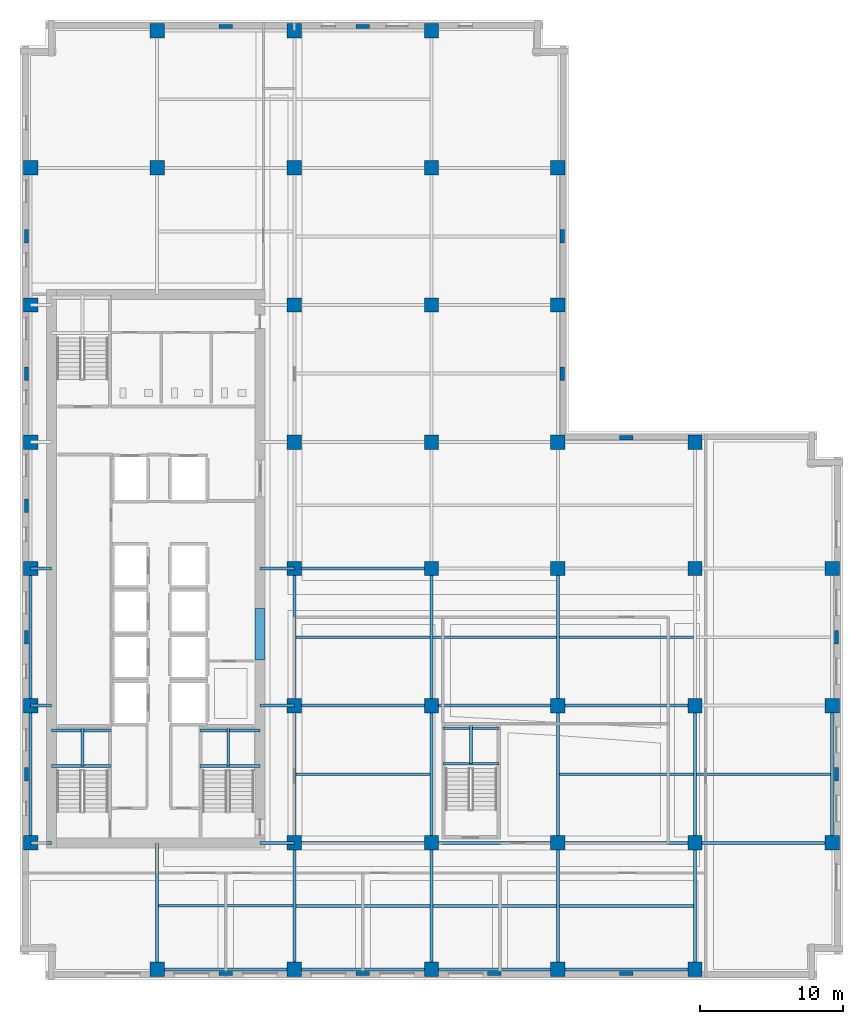
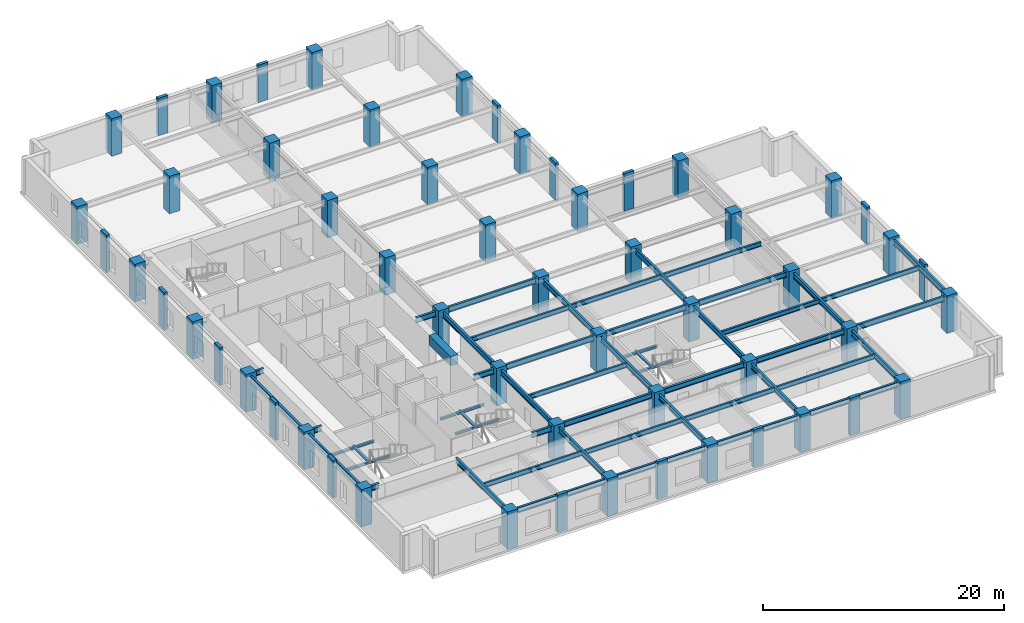
# One storey, part 1 of 11: 56 columns, 53 beams.
"""IFC4 building model written with IfcOpenShell, lengths in metres."""

from ifc_helpers import new_model, si_unit, direction, frame, origin, origin_2d, place, context, subcontext, project, spatial, rectangle, i_section, extrude, material, material_profile, profile_set, type_object, element, save


model = new_model("IFC4")

# Units and contexts
model_context = context("Model", 3, precision=1e-05, world=origin(), true_north=direction((0.0, 1.0)))
body_context = subcontext(model_context, "Body", "Model", "MODEL_VIEW")
ifc_project = project(units=[si_unit("LENGTHUNIT", "METRE"), si_unit("AREAUNIT", "SQUARE_METRE"), si_unit("VOLUMEUNIT", "CUBIC_METRE"), si_unit("PLANEANGLEUNIT", "RADIAN"), si_unit("MASSUNIT", "GRAM", prefix="KILO")], contexts=[model_context])

# Site, building, storey
site_placement = place(None, origin())
site = spatial("IfcSite", under=ifc_project, at=site_placement, CompositionType="ELEMENT")
building_placement = place(site_placement, origin())
building = spatial("IfcBuilding", under=site, at=building_placement, Name="Norrvale University Quadrangle", CompositionType="ELEMENT")
storey_placement = place(building_placement, frame((0.0, 0.0, 120.39990234375)))
storey = spatial("IfcBuildingStorey", under=building, at=storey_placement, Name="L30", CompositionType="ELEMENT", Elevation=120.39990234375)

# Columns
ifc_material_1 = material(Name="Red Manganese Brick Concrete C60/75", Category="concrete")
ifc_material_profile_1 = material_profile(ifc_material_1, rectangle(XDim=0.949951171875, YDim=0.300048828125, at=origin_2d()), Name="Red Manganese Brick Concrete C60/75")
ifc_profile_set_1 = profile_set([ifc_material_profile_1], Name="Red Manganese Brick Concrete C60/75")
column_type_1 = type_object("IfcColumnType", Name="Column Brick Pier 950x300", PredefinedType="PILASTER", material=ifc_profile_set_1)
for number, where, z_axis, x_axis, name in (
    (1, (0.449951171875, 14.39990234375, 0.0), (0.0, 0.0, 1.0), (0.0, 1.0, 0.0), "Exterior Brick Facade Pilaster L30-01"),
    (2, (0.449951171875, 24.0, 0.0), (0.0, 0.0, 1.0), (0.0, 1.0, 0.0), "Exterior Brick Facade Pilaster L30-02"),
    (3, (0.449951171875, 33.199951171875, 0.0), (0.0, 0.0, 1.0), (0.0, 1.0, 0.0), "Exterior Brick Facade Pilaster L30-03"),
    (4, (0.449951171875, 42.449951171875, 0.0), (0.0, 0.0, 1.0), (0.0, 1.0, 0.0), "Exterior Brick Facade Pilaster L30-04"),
    (5, (0.449951171875, 52.050048828125, 0.0), (0.0, 0.0, 1.0), (0.0, 1.0, 0.0), "Exterior Brick Facade Pilaster L30-05"),
    (6, (14.39990234375, 0.449951171875, 0.0), (0.0, 0.0, 1.0), (1.0, 0.0, 0.0), "Exterior Brick Facade Pilaster L30-06"),
    (7, (24.0, 0.449951171875, 0.0), (0.0, 0.0, 1.0), (1.0, 0.0, 0.0), "Exterior Brick Facade Pilaster L30-07"),
    (8, (33.199951171875, 0.449951171875, 0.0), (0.0, 0.0, 1.0), (1.0, 0.0, 0.0), "Exterior Brick Facade Pilaster L30-08"),
    (9, (42.449951171875, 0.449951171875, 0.0), (0.0, 0.0, 1.0), (1.0, 0.0, 0.0), "Exterior Brick Facade Pilaster L30-09"),
    (10, (57.14990234375, 14.39990234375, 0.0), (0.0, 0.0, 1.0), (0.0, 1.0, 0.0), "Exterior Brick Facade Pilaster L30-10"),
    (11, (57.14990234375, 24.0, 0.0), (0.0, 0.0, 1.0), (0.0, 1.0, 0.0), "Exterior Brick Facade Pilaster L30-11"),
    (12, (14.39990234375, 66.75, 0.0), (0.0, 0.0, 1.0), (1.0, 0.0, 0.0), "Exterior Brick Facade Pilaster L30-12"),
    (13, (24.0, 66.75, 0.0), (0.0, 0.0, 1.0), (1.0, 0.0, 0.0), "Exterior Brick Facade Pilaster L30-13"),
    (14, (37.949951171875, 42.449951171875, 0.0), (0.0, 0.0, 1.0), (0.0, 1.0, 0.0), "Exterior Brick Facade Pilaster L30-14"),
    (15, (37.949951171875, 52.050048828125, 0.0), (0.0, 0.0, 1.0), (0.0, 1.0, 0.0), "Exterior Brick Facade Pilaster L30-15"),
    (16, (42.449951171875, 37.949951171875, 0.0), (0.0, 0.0, 1.0), (1.0, 0.0, 0.0), "Exterior Brick Facade Pilaster L30-16"),
):
    element("IfcColumn", number, at=place(storey_placement, frame(where, z_axis=z_axis, x_axis=x_axis)), inside=storey, type_object=column_type_1, Name=name, PredefinedType="PILASTER", context=body_context, shape_type="SweptSolid", body=[
        extrude(rectangle(XDim=0.949951171875, YDim=0.300048828125, at=origin_2d()), origin(), (0.0, 0.0, 1.0), 3.800048828125),
    ])
ifc_material_2 = material(Name="Concrete C60/75", Category="concrete")
ifc_material_profile_2 = material_profile(ifc_material_2, rectangle(XDim=1.0, YDim=1.0, at=origin_2d()), Name="Concrete C60/75")
ifc_profile_set_2 = profile_set([ifc_material_profile_2], Name="Concrete C60/75")
column_type_2 = type_object("IfcColumnType", Name="Column Tower Z2 1000x1000", PredefinedType="COLUMN", material=ifc_profile_set_2)
for number, where, z_axis, x_axis, name in (
    (17, (0.75, 9.60009765625, 0.0), (0.0, 0.0, 1.0), (1.0, 0.0, 0.0), "Tower Column L30-T01"),
    (18, (0.75, 19.199951171875, 0.0), (0.0, 0.0, 1.0), (1.0, 0.0, 0.0), "Tower Column L30-T02"),
    (19, (0.75, 28.800048828125, 0.0), (0.0, 0.0, 1.0), (1.0, 0.0, 0.0), "Tower Column L30-T03"),
    (20, (0.75, 37.64990234375, 0.0), (0.0, 0.0, 1.0), (1.0, 0.0, 0.0), "Tower Column L30-T04"),
    (21, (0.75, 47.25, 0.0), (0.0, 0.0, 1.0), (1.0, 0.0, 0.0), "Tower Column L30-T05"),
    (22, (0.75, 56.85009765625, 0.0), (0.0, 0.0, 1.0), (1.0, 0.0, 0.0), "Tower Column L30-T06"),
    (23, (9.60009765625, 0.75, 0.0), (0.0, 0.0, 1.0), (1.0, 0.0, 0.0), "Tower Column L30-T07"),
    (24, (9.60009765625, 56.85009765625, 0.0), (0.0, 0.0, 1.0), (1.0, 0.0, 0.0), "Tower Column L30-T08"),
    (25, (9.60009765625, 66.449951171875, 0.0), (0.0, 0.0, 1.0), (1.0, 0.0, 0.0), "Tower Column L30-T09"),
    (26, (19.199951171875, 0.75, 0.0), (0.0, 0.0, 1.0), (1.0, 0.0, 0.0), "Tower Column L30-T10"),
    (27, (19.199951171875, 9.60009765625, 0.0), (0.0, 0.0, 1.0), (1.0, 0.0, 0.0), "Tower Column L30-T11"),
    (28, (19.199951171875, 19.199951171875, 0.0), (0.0, 0.0, 1.0), (1.0, 0.0, 0.0), "Tower Column L30-T12"),
    (29, (19.199951171875, 28.800048828125, 0.0), (0.0, 0.0, 1.0), (1.0, 0.0, 0.0), "Tower Column L30-T13"),
    (30, (19.199951171875, 37.64990234375, 0.0), (0.0, 0.0, 1.0), (1.0, 0.0, 0.0), "Tower Column L30-T14"),
    (31, (19.199951171875, 47.25, 0.0), (0.0, 0.0, 1.0), (1.0, 0.0, 0.0), "Tower Column L30-T15"),
    (32, (19.199951171875, 56.85009765625, 0.0), (0.0, 0.0, 1.0), (1.0, 0.0, 0.0), "Tower Column L30-T16"),
    (33, (19.199951171875, 66.449951171875, 0.0), (0.0, 0.0, 1.0), (1.0, 0.0, 0.0), "Tower Column L30-T17"),
    (34, (28.800048828125, 0.75, 0.0), (0.0, 0.0, 1.0), (1.0, 0.0, 0.0), "Tower Column L30-T18"),
    (35, (28.800048828125, 9.60009765625, 0.0), (0.0, 0.0, 1.0), (1.0, 0.0, 0.0), "Tower Column L30-T19"),
    (36, (28.800048828125, 19.199951171875, 0.0), (0.0, 0.0, 1.0), (1.0, 0.0, 0.0), "Tower Column L30-T20"),
    (37, (28.800048828125, 28.800048828125, 0.0), (0.0, 0.0, 1.0), (1.0, 0.0, 0.0), "Tower Column L30-T21"),
    (38, (28.800048828125, 37.64990234375, 0.0), (0.0, 0.0, 1.0), (1.0, 0.0, 0.0), "Tower Column L30-T22"),
    (39, (28.800048828125, 47.25, 0.0), (0.0, 0.0, 1.0), (1.0, 0.0, 0.0), "Tower Column L30-T23"),
    (40, (28.800048828125, 56.85009765625, 0.0), (0.0, 0.0, 1.0), (1.0, 0.0, 0.0), "Tower Column L30-T24"),
    (41, (28.800048828125, 66.449951171875, 0.0), (0.0, 0.0, 1.0), (1.0, 0.0, 0.0), "Tower Column L30-T25"),
    (42, (37.64990234375, 0.75, 0.0), (0.0, 0.0, 1.0), (1.0, 0.0, 0.0), "Tower Column L30-T26"),
    (43, (37.64990234375, 9.60009765625, 0.0), (0.0, 0.0, 1.0), (1.0, 0.0, 0.0), "Tower Column L30-T27"),
    (44, (37.64990234375, 19.199951171875, 0.0), (0.0, 0.0, 1.0), (1.0, 0.0, 0.0), "Tower Column L30-T28"),
    (45, (37.64990234375, 28.800048828125, 0.0), (0.0, 0.0, 1.0), (1.0, 0.0, 0.0), "Tower Column L30-T29"),
    (46, (37.64990234375, 37.64990234375, 0.0), (0.0, 0.0, 1.0), (1.0, 0.0, 0.0), "Tower Column L30-T30"),
    (47, (37.64990234375, 47.25, 0.0), (0.0, 0.0, 1.0), (1.0, 0.0, 0.0), "Tower Column L30-T31"),
    (48, (37.64990234375, 56.85009765625, 0.0), (0.0, 0.0, 1.0), (1.0, 0.0, 0.0), "Tower Column L30-T32"),
    (49, (47.25, 0.75, 0.0), (0.0, 0.0, 1.0), (1.0, 0.0, 0.0), "Tower Column L30-T33"),
    (50, (47.25, 9.60009765625, 0.0), (0.0, 0.0, 1.0), (1.0, 0.0, 0.0), "Tower Column L30-T34"),
    (51, (47.25, 19.199951171875, 0.0), (0.0, 0.0, 1.0), (1.0, 0.0, 0.0), "Tower Column L30-T35"),
    (52, (47.25, 28.800048828125, 0.0), (0.0, 0.0, 1.0), (1.0, 0.0, 0.0), "Tower Column L30-T36"),
    (53, (47.25, 37.64990234375, 0.0), (0.0, 0.0, 1.0), (1.0, 0.0, 0.0), "Tower Column L30-T37"),
    (54, (56.85009765625, 9.60009765625, 0.0), (0.0, 0.0, 1.0), (1.0, 0.0, 0.0), "Tower Column L30-T38"),
    (55, (56.85009765625, 19.199951171875, 0.0), (0.0, 0.0, 1.0), (1.0, 0.0, 0.0), "Tower Column L30-T39"),
    (56, (56.85009765625, 28.800048828125, 0.0), (0.0, 0.0, 1.0), (1.0, 0.0, 0.0), "Tower Column L30-T40"),
):
    element("IfcColumn", number, at=place(storey_placement, frame(where, z_axis=z_axis, x_axis=x_axis)), inside=storey, type_object=column_type_2, Name=name, PredefinedType="COLUMN", context=body_context, shape_type="SweptSolid", body=[
        extrude(rectangle(XDim=1.0, YDim=1.0, at=origin_2d()), origin(), (0.0, 0.0, 1.0), 3.800048828125),
    ])

# Beams
ifc_material_3 = material(Name="Concrete C80/95", Category="concrete")
ifc_material_profile_3 = material_profile(ifc_material_3, rectangle(XDim=0.699951171875, YDim=0.949951171875, at=origin_2d()), Name="Concrete C80/95")
ifc_profile_set_3 = profile_set([ifc_material_profile_3], Name="Concrete C80/95")
beam_type_1 = type_object("IfcBeamType", Name="Beam Core Link 700x950", PredefinedType="LINTEL", material=ifc_profile_set_3)
beam_1_placement = place(storey_placement, frame((16.800048828125, 22.39990234375, 3.065185546875), z_axis=(0.0, 1.0, 0.0), x_axis=(-1.0, 0.0, 0.0)))
element("IfcBeam", 57, at=beam_1_placement, inside=storey, type_object=beam_type_1, Name="Core Coupling Lintel Beam L30-1", PredefinedType="LINTEL", context=body_context, shape_type="SweptSolid", body=[
    extrude(rectangle(XDim=0.699951171875, YDim=0.949951171875, at=origin_2d()), origin(), (0.0, 0.0, 1.0), 3.60009765625),
])
ifc_material_4 = material(Name="Steel 350W", Category="steel")
ifc_material_profile_4 = material_profile(ifc_material_4, i_section(OverallWidth=0.18994140625, OverallDepth=0.45703125, WebThickness=0.009033203125, FlangeThickness=0.014404296875, FilletRadius=0.012939453125, at=origin_2d()), Name="Steel 350W")
ifc_profile_set_4 = profile_set([ifc_material_profile_4], Name="Steel 350W")
beam_type_2 = type_object("IfcBeamType", Name="Beam Floor W460x74", PredefinedType="JOIST", material=ifc_profile_set_4)
for number, where, z_axis, x_axis, name in (
    (58, (19.305908203125, 5.175048828125, 3.3115234375), (1.0, 0.0, 0.0), (0.0, 1.0, 0.0), "Beam Floor W460x74 BM-L30-J071"),
    (59, (19.305908203125, 14.39990234375, 3.3115234375), (1.0, 0.0, 0.0), (0.0, 1.0, 0.0), "Beam Floor W460x74 BM-L30-J072"),
    (60, (19.305908203125, 24.0, 3.3115234375), (1.0, 0.0, 0.0), (0.0, 1.0, 0.0), "Beam Floor W460x74 BM-L30-J073"),
):
    element("IfcBeam", number, at=place(storey_placement, frame(where, z_axis=z_axis, x_axis=x_axis)), inside=storey, type_object=beam_type_2, Name=name, PredefinedType="JOIST", context=body_context, shape_type="SweptSolid", body=[
        extrude(i_section(OverallWidth=0.18994140625, OverallDepth=0.45703125, WebThickness=0.009033203125, FlangeThickness=0.014404296875, FilletRadius=0.012939453125, at=origin_2d()), origin(), (0.0, 0.0, 1.0), 9.38818359375),
    ])
for number, where, z_axis, x_axis, name in (
    (61, (28.906005859375, 5.175048828125, 3.3115234375), (1.0, 0.0, 0.0), (0.0, 1.0, 0.0), "Beam Floor W460x74 BM-L30-J078"),
    (62, (28.906005859375, 24.0, 3.3115234375), (1.0, 0.0, 0.0), (0.0, 1.0, 0.0), "Beam Floor W460x74 BM-L30-J079"),
):
    element("IfcBeam", number, at=place(storey_placement, frame(where, z_axis=z_axis, x_axis=x_axis)), inside=storey, type_object=beam_type_2, Name=name, PredefinedType="JOIST", context=body_context, shape_type="SweptSolid", body=[
        extrude(i_section(OverallWidth=0.18994140625, OverallDepth=0.45703125, WebThickness=0.009033203125, FlangeThickness=0.014404296875, FilletRadius=0.012939453125, at=origin_2d()), origin(), (0.0, 0.0, 1.0), 8.637939453125),
    ])
for number, where, z_axis, x_axis, name in (
    (63, (37.756103515625, 5.175048828125, 3.3115234375), (1.0, 0.0, 0.0), (0.0, 1.0, 0.0), "Beam Floor W460x74 BM-L30-J083"),
    (64, (37.756103515625, 14.39990234375, 3.3115234375), (1.0, 0.0, 0.0), (0.0, 1.0, 0.0), "Beam Floor W460x74 BM-L30-J084"),
    (65, (37.756103515625, 24.0, 3.3115234375), (1.0, 0.0, 0.0), (0.0, 1.0, 0.0), "Beam Floor W460x74 BM-L30-J085"),
    (66, (47.35595703125, 14.39990234375, 3.3115234375), (1.0, 0.0, 0.0), (0.0, 1.0, 0.0), "Beam Floor W460x74 BM-L30-J087"),
    (67, (9.7060546875, 5.199951171875, 3.3115234375), (1.0, 0.0, 0.0), (0.0, 1.0, 0.0), "Beam Floor W460x74 BM-L30-JCS090"),
):
    element("IfcBeam", number, at=place(storey_placement, frame(where, z_axis=z_axis, x_axis=x_axis)), inside=storey, type_object=beam_type_2, Name=name, PredefinedType="JOIST", context=body_context, shape_type="SweptSolid", body=[
        extrude(i_section(OverallWidth=0.18994140625, OverallDepth=0.45703125, WebThickness=0.009033203125, FlangeThickness=0.014404296875, FilletRadius=0.012939453125, at=origin_2d()), origin(), (0.0, 0.0, 1.0), 9.387939453125),
    ])
ifc_material_profile_5 = material_profile(ifc_material_4, i_section(OverallWidth=0.2119140625, OverallDepth=0.5439453125, WebThickness=0.01318359375, FlangeThickness=0.021240234375, FilletRadius=0.013916015625, at=origin_2d()), Name="Steel 350W")
ifc_profile_set_5 = profile_set([ifc_material_profile_5], Name="Steel 350W")
beam_type_3 = type_object("IfcBeamType", Name="Beam Floor W530x123", PredefinedType="BEAM", material=ifc_profile_set_5)
beam_2_placement = place(storey_placement, frame((9.60009765625, 0.75, 3.26806640625), z_axis=(1.0, 0.0, 0.0), x_axis=(0.0, 1.0, 0.0)))
element("IfcBeam", 68, at=beam_2_placement, inside=storey, type_object=beam_type_3, Name="Beam Floor W530x123 BM-L30-GX001", PredefinedType="BEAM", context=body_context, shape_type="SweptSolid", body=[
    extrude(i_section(OverallWidth=0.2119140625, OverallDepth=0.5439453125, WebThickness=0.01318359375, FlangeThickness=0.021240234375, FilletRadius=0.013916015625, at=origin_2d()), origin(), (0.0, 0.0, 1.0), 9.599853515625),
])
beam_3_placement = place(storey_placement, frame((19.199951171875, 0.75, 3.26806640625), z_axis=(1.0, 0.0, 0.0), x_axis=(0.0, 1.0, 0.0)))
element("IfcBeam", 69, at=beam_3_placement, inside=storey, type_object=beam_type_3, Name="Beam Floor W530x123 BM-L30-GX002", PredefinedType="BEAM", context=body_context, shape_type="SweptSolid", body=[
    extrude(i_section(OverallWidth=0.2119140625, OverallDepth=0.5439453125, WebThickness=0.01318359375, FlangeThickness=0.021240234375, FilletRadius=0.013916015625, at=origin_2d()), origin(), (0.0, 0.0, 1.0), 9.60009765625),
])
beam_4_placement = place(storey_placement, frame((28.800048828125, 0.75, 3.26806640625), z_axis=(1.0, 0.0, 0.0), x_axis=(0.0, 1.0, 0.0)))
element("IfcBeam", 70, at=beam_4_placement, inside=storey, type_object=beam_type_3, Name="Beam Floor W530x123 BM-L30-GX003", PredefinedType="BEAM", context=body_context, shape_type="SweptSolid", body=[
    extrude(i_section(OverallWidth=0.2119140625, OverallDepth=0.5439453125, WebThickness=0.01318359375, FlangeThickness=0.021240234375, FilletRadius=0.013916015625, at=origin_2d()), origin(), (0.0, 0.0, 1.0), 8.849853515625),
])
for number, where, z_axis, x_axis, name in (
    (71, (37.64990234375, 0.75, 3.26806640625), (1.0, 0.0, 0.0), (0.0, 1.0, 0.0), "Beam Floor W530x123 BM-L30-GX004"),
    (72, (19.199951171875, 9.60009765625, 3.26806640625), (1.0, 0.0, 0.0), (0.0, 1.0, 0.0), "Beam Floor W530x123 BM-L30-GX005"),
):
    element("IfcBeam", number, at=place(storey_placement, frame(where, z_axis=z_axis, x_axis=x_axis)), inside=storey, type_object=beam_type_3, Name=name, PredefinedType="BEAM", context=body_context, shape_type="SweptSolid", body=[
        extrude(i_section(OverallWidth=0.2119140625, OverallDepth=0.5439453125, WebThickness=0.01318359375, FlangeThickness=0.021240234375, FilletRadius=0.013916015625, at=origin_2d()), origin(), (0.0, 0.0, 1.0), 9.60009765625),
    ])
beam_5_placement = place(storey_placement, frame((28.800048828125, 9.60009765625, 3.26806640625), z_axis=(1.0, 0.0, 0.0), x_axis=(0.0, 1.0, 0.0)))
element("IfcBeam", 73, at=beam_5_placement, inside=storey, type_object=beam_type_3, Name="Beam Floor W530x123 BM-L30-GX006", PredefinedType="BEAM", context=body_context, shape_type="SweptSolid", body=[
    extrude(i_section(OverallWidth=0.2119140625, OverallDepth=0.5439453125, WebThickness=0.01318359375, FlangeThickness=0.021240234375, FilletRadius=0.013916015625, at=origin_2d()), origin(), (0.0, 0.0, 1.0), 8.849853515625),
])
for number, where, z_axis, x_axis, name in (
    (74, (37.64990234375, 9.60009765625, 3.26806640625), (1.0, 0.0, 0.0), (0.0, 1.0, 0.0), "Beam Floor W530x123 BM-L30-GX007"),
    (75, (47.25, 9.60009765625, 3.26806640625), (1.0, 0.0, 0.0), (0.0, 1.0, 0.0), "Beam Floor W530x123 BM-L30-GX008"),
    (76, (19.199951171875, 19.199951171875, 3.26806640625), (1.0, 0.0, 0.0), (0.0, 1.0, 0.0), "Beam Floor W530x123 BM-L30-GX009"),
):
    element("IfcBeam", number, at=place(storey_placement, frame(where, z_axis=z_axis, x_axis=x_axis)), inside=storey, type_object=beam_type_3, Name=name, PredefinedType="BEAM", context=body_context, shape_type="SweptSolid", body=[
        extrude(i_section(OverallWidth=0.2119140625, OverallDepth=0.5439453125, WebThickness=0.01318359375, FlangeThickness=0.021240234375, FilletRadius=0.013916015625, at=origin_2d()), origin(), (0.0, 0.0, 1.0), 9.60009765625),
    ])
beam_6_placement = place(storey_placement, frame((28.800048828125, 19.199951171875, 3.26806640625), z_axis=(1.0, 0.0, 0.0), x_axis=(0.0, 1.0, 0.0)))
element("IfcBeam", 77, at=beam_6_placement, inside=storey, type_object=beam_type_3, Name="Beam Floor W530x123 BM-L30-GX010", PredefinedType="BEAM", context=body_context, shape_type="SweptSolid", body=[
    extrude(i_section(OverallWidth=0.2119140625, OverallDepth=0.5439453125, WebThickness=0.01318359375, FlangeThickness=0.021240234375, FilletRadius=0.013916015625, at=origin_2d()), origin(), (0.0, 0.0, 1.0), 8.849853515625),
])
for number, where, z_axis, x_axis, name in (
    (78, (37.64990234375, 19.199951171875, 3.26806640625), (1.0, 0.0, 0.0), (0.0, 1.0, 0.0), "Beam Floor W530x123 BM-L30-GX011"),
    (79, (19.199951171875, 28.800048828125, 3.26806640625), (1.0, 0.0, 0.0), (0.0, 1.0, 0.0), "Beam Floor W530x123 BM-L30-GX013"),
):
    element("IfcBeam", number, at=place(storey_placement, frame(where, z_axis=z_axis, x_axis=x_axis)), inside=storey, type_object=beam_type_3, Name=name, PredefinedType="BEAM", context=body_context, shape_type="SweptSolid", body=[
        extrude(i_section(OverallWidth=0.2119140625, OverallDepth=0.5439453125, WebThickness=0.01318359375, FlangeThickness=0.021240234375, FilletRadius=0.013916015625, at=origin_2d()), origin(), (0.0, 0.0, 1.0), 9.60009765625),
    ])
beam_7_placement = place(storey_placement, frame((0.75, 9.60009765625, 3.26806640625), z_axis=(0.0, 1.0, 0.0), x_axis=(-1.0, 0.0, 0.0)))
element("IfcBeam", 80, at=beam_7_placement, inside=storey, type_object=beam_type_3, Name="Beam Floor W530x123 BM-L30-GY028", PredefinedType="BEAM", context=body_context, shape_type="SweptSolid", body=[
    extrude(i_section(OverallWidth=0.2119140625, OverallDepth=0.5439453125, WebThickness=0.01318359375, FlangeThickness=0.021240234375, FilletRadius=0.013916015625, at=origin_2d()), origin(), (0.0, 0.0, 1.0), 9.599853515625),
])
beam_8_placement = place(storey_placement, frame((0.75, 19.199951171875, 3.26806640625), z_axis=(0.0, 1.0, 0.0), x_axis=(-1.0, 0.0, 0.0)))
element("IfcBeam", 81, at=beam_8_placement, inside=storey, type_object=beam_type_3, Name="Beam Floor W530x123 BM-L30-GY029", PredefinedType="BEAM", context=body_context, shape_type="SweptSolid", body=[
    extrude(i_section(OverallWidth=0.2119140625, OverallDepth=0.5439453125, WebThickness=0.01318359375, FlangeThickness=0.021240234375, FilletRadius=0.013916015625, at=origin_2d()), origin(), (0.0, 0.0, 1.0), 9.60009765625),
])
beam_9_placement = place(storey_placement, frame((19.199951171875, 0.75, 3.26806640625), z_axis=(0.0, 1.0, 0.0), x_axis=(-1.0, 0.0, 0.0)))
element("IfcBeam", 82, at=beam_9_placement, inside=storey, type_object=beam_type_3, Name="Beam Floor W530x123 BM-L30-GY034", PredefinedType="BEAM", context=body_context, shape_type="SweptSolid", body=[
    extrude(i_section(OverallWidth=0.2119140625, OverallDepth=0.5439453125, WebThickness=0.01318359375, FlangeThickness=0.021240234375, FilletRadius=0.013916015625, at=origin_2d()), origin(), (0.0, 0.0, 1.0), 8.85009765625),
])
beam_10_placement = place(storey_placement, frame((19.199951171875, 9.60009765625, 3.26806640625), z_axis=(0.0, 1.0, 0.0), x_axis=(-1.0, 0.0, 0.0)))
element("IfcBeam", 83, at=beam_10_placement, inside=storey, type_object=beam_type_3, Name="Beam Floor W530x123 BM-L30-GY035", PredefinedType="BEAM", context=body_context, shape_type="SweptSolid", body=[
    extrude(i_section(OverallWidth=0.2119140625, OverallDepth=0.5439453125, WebThickness=0.01318359375, FlangeThickness=0.021240234375, FilletRadius=0.013916015625, at=origin_2d()), origin(), (0.0, 0.0, 1.0), 9.599853515625),
])
beam_11_placement = place(storey_placement, frame((19.199951171875, 19.199951171875, 3.26806640625), z_axis=(0.0, 1.0, 0.0), x_axis=(-1.0, 0.0, 0.0)))
element("IfcBeam", 84, at=beam_11_placement, inside=storey, type_object=beam_type_3, Name="Beam Floor W530x123 BM-L30-GY036", PredefinedType="BEAM", context=body_context, shape_type="SweptSolid", body=[
    extrude(i_section(OverallWidth=0.2119140625, OverallDepth=0.5439453125, WebThickness=0.01318359375, FlangeThickness=0.021240234375, FilletRadius=0.013916015625, at=origin_2d()), origin(), (0.0, 0.0, 1.0), 9.60009765625),
])
beam_12_placement = place(storey_placement, frame((28.800048828125, 0.75, 3.26806640625), z_axis=(0.0, 1.0, 0.0), x_axis=(-1.0, 0.0, 0.0)))
element("IfcBeam", 85, at=beam_12_placement, inside=storey, type_object=beam_type_3, Name="Beam Floor W530x123 BM-L30-GY041", PredefinedType="BEAM", context=body_context, shape_type="SweptSolid", body=[
    extrude(i_section(OverallWidth=0.2119140625, OverallDepth=0.5439453125, WebThickness=0.01318359375, FlangeThickness=0.021240234375, FilletRadius=0.013916015625, at=origin_2d()), origin(), (0.0, 0.0, 1.0), 8.85009765625),
])
beam_13_placement = place(storey_placement, frame((28.800048828125, 9.60009765625, 3.26806640625), z_axis=(0.0, 1.0, 0.0), x_axis=(-1.0, 0.0, 0.0)))
element("IfcBeam", 86, at=beam_13_placement, inside=storey, type_object=beam_type_3, Name="Beam Floor W530x123 BM-L30-GY042", PredefinedType="BEAM", context=body_context, shape_type="SweptSolid", body=[
    extrude(i_section(OverallWidth=0.2119140625, OverallDepth=0.5439453125, WebThickness=0.01318359375, FlangeThickness=0.021240234375, FilletRadius=0.013916015625, at=origin_2d()), origin(), (0.0, 0.0, 1.0), 9.599853515625),
])
beam_14_placement = place(storey_placement, frame((28.800048828125, 19.199951171875, 3.26806640625), z_axis=(0.0, 1.0, 0.0), x_axis=(-1.0, 0.0, 0.0)))
element("IfcBeam", 87, at=beam_14_placement, inside=storey, type_object=beam_type_3, Name="Beam Floor W530x123 BM-L30-GY043", PredefinedType="BEAM", context=body_context, shape_type="SweptSolid", body=[
    extrude(i_section(OverallWidth=0.2119140625, OverallDepth=0.5439453125, WebThickness=0.01318359375, FlangeThickness=0.021240234375, FilletRadius=0.013916015625, at=origin_2d()), origin(), (0.0, 0.0, 1.0), 9.60009765625),
])
beam_15_placement = place(storey_placement, frame((37.64990234375, 0.75, 3.26806640625), z_axis=(0.0, 1.0, 0.0), x_axis=(-1.0, 0.0, 0.0)))
element("IfcBeam", 88, at=beam_15_placement, inside=storey, type_object=beam_type_3, Name="Beam Floor W530x123 BM-L30-GY048", PredefinedType="BEAM", context=body_context, shape_type="SweptSolid", body=[
    extrude(i_section(OverallWidth=0.2119140625, OverallDepth=0.5439453125, WebThickness=0.01318359375, FlangeThickness=0.021240234375, FilletRadius=0.013916015625, at=origin_2d()), origin(), (0.0, 0.0, 1.0), 8.85009765625),
])
beam_16_placement = place(storey_placement, frame((37.64990234375, 9.60009765625, 3.26806640625), z_axis=(0.0, 1.0, 0.0), x_axis=(-1.0, 0.0, 0.0)))
element("IfcBeam", 89, at=beam_16_placement, inside=storey, type_object=beam_type_3, Name="Beam Floor W530x123 BM-L30-GY049", PredefinedType="BEAM", context=body_context, shape_type="SweptSolid", body=[
    extrude(i_section(OverallWidth=0.2119140625, OverallDepth=0.5439453125, WebThickness=0.01318359375, FlangeThickness=0.021240234375, FilletRadius=0.013916015625, at=origin_2d()), origin(), (0.0, 0.0, 1.0), 9.599853515625),
])
beam_17_placement = place(storey_placement, frame((37.64990234375, 19.199951171875, 3.26806640625), z_axis=(0.0, 1.0, 0.0), x_axis=(-1.0, 0.0, 0.0)))
element("IfcBeam", 90, at=beam_17_placement, inside=storey, type_object=beam_type_3, Name="Beam Floor W530x123 BM-L30-GY050", PredefinedType="BEAM", context=body_context, shape_type="SweptSolid", body=[
    extrude(i_section(OverallWidth=0.2119140625, OverallDepth=0.5439453125, WebThickness=0.01318359375, FlangeThickness=0.021240234375, FilletRadius=0.013916015625, at=origin_2d()), origin(), (0.0, 0.0, 1.0), 9.60009765625),
])
beam_18_placement = place(storey_placement, frame((47.25, 0.75, 3.26806640625), z_axis=(0.0, 1.0, 0.0), x_axis=(-1.0, 0.0, 0.0)))
element("IfcBeam", 91, at=beam_18_placement, inside=storey, type_object=beam_type_3, Name="Beam Floor W530x123 BM-L30-GY054", PredefinedType="BEAM", context=body_context, shape_type="SweptSolid", body=[
    extrude(i_section(OverallWidth=0.2119140625, OverallDepth=0.5439453125, WebThickness=0.01318359375, FlangeThickness=0.021240234375, FilletRadius=0.013916015625, at=origin_2d()), origin(), (0.0, 0.0, 1.0), 8.85009765625),
])
for number, where, z_axis, x_axis, name in (
    (92, (47.25, 9.60009765625, 3.26806640625), (0.0, 1.0, 0.0), (-1.0, 0.0, 0.0), "Beam Floor W530x123 BM-L30-GY055"),
    (93, (56.85009765625, 9.60009765625, 3.26806640625), (0.0, 1.0, 0.0), (-1.0, 0.0, 0.0), "Beam Floor W530x123 BM-L30-GY058"),
):
    element("IfcBeam", number, at=place(storey_placement, frame(where, z_axis=z_axis, x_axis=x_axis)), inside=storey, type_object=beam_type_3, Name=name, PredefinedType="BEAM", context=body_context, shape_type="SweptSolid", body=[
        extrude(i_section(OverallWidth=0.2119140625, OverallDepth=0.5439453125, WebThickness=0.01318359375, FlangeThickness=0.021240234375, FilletRadius=0.013916015625, at=origin_2d()), origin(), (0.0, 0.0, 1.0), 9.599853515625),
    ])
beam_19_placement = place(storey_placement, frame((0.75, 9.60009765625, 3.26806640625), z_axis=(1.0, 0.0, 0.0), x_axis=(0.0, 1.0, 0.0)))
element("IfcBeam", 94, at=beam_19_placement, inside=storey, type_object=beam_type_3, Name="Beam Floor W530x123 BM-L30-GCW060", PredefinedType="BEAM", context=body_context, shape_type="SweptSolid", body=[
    extrude(i_section(OverallWidth=0.2119140625, OverallDepth=0.5439453125, WebThickness=0.01318359375, FlangeThickness=0.021240234375, FilletRadius=0.013916015625, at=origin_2d()), origin(), (0.0, 0.0, 1.0), 1.449951171875),
])
beam_20_placement = place(storey_placement, frame((16.800048828125, 9.60009765625, 3.26806640625), z_axis=(1.0, 0.0, 0.0), x_axis=(0.0, 1.0, 0.0)))
element("IfcBeam", 95, at=beam_20_placement, inside=storey, type_object=beam_type_3, Name="Beam Floor W530x123 BM-L30-GCE061", PredefinedType="BEAM", context=body_context, shape_type="SweptSolid", body=[
    extrude(i_section(OverallWidth=0.2119140625, OverallDepth=0.5439453125, WebThickness=0.01318359375, FlangeThickness=0.021240234375, FilletRadius=0.013916015625, at=origin_2d()), origin(), (0.0, 0.0, 1.0), 2.39990234375),
])
beam_21_placement = place(storey_placement, frame((0.75, 19.199951171875, 3.26806640625), z_axis=(1.0, 0.0, 0.0), x_axis=(0.0, 1.0, 0.0)))
element("IfcBeam", 96, at=beam_21_placement, inside=storey, type_object=beam_type_3, Name="Beam Floor W530x123 BM-L30-GCW062", PredefinedType="BEAM", context=body_context, shape_type="SweptSolid", body=[
    extrude(i_section(OverallWidth=0.2119140625, OverallDepth=0.5439453125, WebThickness=0.01318359375, FlangeThickness=0.021240234375, FilletRadius=0.013916015625, at=origin_2d()), origin(), (0.0, 0.0, 1.0), 1.449951171875),
])
beam_22_placement = place(storey_placement, frame((16.800048828125, 19.199951171875, 3.26806640625), z_axis=(1.0, 0.0, 0.0), x_axis=(0.0, 1.0, 0.0)))
element("IfcBeam", 97, at=beam_22_placement, inside=storey, type_object=beam_type_3, Name="Beam Floor W530x123 BM-L30-GCE063", PredefinedType="BEAM", context=body_context, shape_type="SweptSolid", body=[
    extrude(i_section(OverallWidth=0.2119140625, OverallDepth=0.5439453125, WebThickness=0.01318359375, FlangeThickness=0.021240234375, FilletRadius=0.013916015625, at=origin_2d()), origin(), (0.0, 0.0, 1.0), 2.39990234375),
])
beam_23_placement = place(storey_placement, frame((0.75, 28.800048828125, 3.26806640625), z_axis=(1.0, 0.0, 0.0), x_axis=(0.0, 1.0, 0.0)))
element("IfcBeam", 98, at=beam_23_placement, inside=storey, type_object=beam_type_3, Name="Beam Floor W530x123 BM-L30-GCW064", PredefinedType="BEAM", context=body_context, shape_type="SweptSolid", body=[
    extrude(i_section(OverallWidth=0.2119140625, OverallDepth=0.5439453125, WebThickness=0.01318359375, FlangeThickness=0.021240234375, FilletRadius=0.013916015625, at=origin_2d()), origin(), (0.0, 0.0, 1.0), 1.449951171875),
])
beam_24_placement = place(storey_placement, frame((16.800048828125, 28.800048828125, 3.26806640625), z_axis=(1.0, 0.0, 0.0), x_axis=(0.0, 1.0, 0.0)))
element("IfcBeam", 99, at=beam_24_placement, inside=storey, type_object=beam_type_3, Name="Beam Floor W530x123 BM-L30-GCE065", PredefinedType="BEAM", context=body_context, shape_type="SweptSolid", body=[
    extrude(i_section(OverallWidth=0.2119140625, OverallDepth=0.5439453125, WebThickness=0.01318359375, FlangeThickness=0.021240234375, FilletRadius=0.013916015625, at=origin_2d()), origin(), (0.0, 0.0, 1.0), 2.39990234375),
])
beam_25_placement = place(storey_placement, frame((9.60009765625, 0.75, 3.26806640625), z_axis=(0.0, 1.0, 0.0), x_axis=(-1.0, 0.0, 0.0)))
element("IfcBeam", 100, at=beam_25_placement, inside=storey, type_object=beam_type_3, Name="Beam Floor W530x123 BM-L30-GCS089", PredefinedType="BEAM", context=body_context, shape_type="SweptSolid", body=[
    extrude(i_section(OverallWidth=0.2119140625, OverallDepth=0.5439453125, WebThickness=0.01318359375, FlangeThickness=0.021240234375, FilletRadius=0.013916015625, at=origin_2d()), origin(), (0.0, 0.0, 1.0), 8.85009765625),
])
ifc_material_profile_6 = material_profile(ifc_material_4, i_section(OverallWidth=0.201904296875, OverallDepth=0.2470703125, WebThickness=0.00732421875, FlangeThickness=0.010986328125, FilletRadius=0.011962890625, at=origin_2d()), Name="Steel 350W")
ifc_profile_set_6 = profile_set([ifc_material_profile_6], Name="Steel 350W")
beam_type_4 = type_object("IfcBeamType", Name="Beam Stair W250x49", PredefinedType="BEAM", material=ifc_profile_set_6)
for number, where, z_axis, x_axis, name in (
    (101, (2.199951171875, 14.989990234375, 1.57666015625), (1.0, 0.0, 0.0), (0.0, 1.0, 0.0), "Stair Mid-Landing Front Beam ST-01 L30"),
    (102, (2.199951171875, 17.469970703125, 1.57666015625), (1.0, 0.0, 0.0), (0.0, 1.0, 0.0), "Stair Mid-Landing Rear Beam ST-01 L30"),
):
    element("IfcBeam", number, at=place(storey_placement, frame(where, z_axis=z_axis, x_axis=x_axis)), inside=storey, type_object=beam_type_4, Name=name, PredefinedType="BEAM", context=body_context, shape_type="SweptSolid", body=[
        extrude(i_section(OverallWidth=0.201904296875, OverallDepth=0.2470703125, WebThickness=0.00732421875, FlangeThickness=0.010986328125, FilletRadius=0.011962890625, at=origin_2d()), origin(), (0.0, 0.0, 1.0), 4.14013671875),
    ])
for number, where, z_axis, x_axis, name in (
    (103, (12.610107421875, 14.989990234375, 1.57666015625), (1.0, 0.0, 0.0), (0.0, 1.0, 0.0), "Stair Mid-Landing Front Beam ST-03 L30"),
    (104, (12.610107421875, 17.469970703125, 1.57666015625), (1.0, 0.0, 0.0), (0.0, 1.0, 0.0), "Stair Mid-Landing Rear Beam ST-03 L30"),
):
    element("IfcBeam", number, at=place(storey_placement, frame(where, z_axis=z_axis, x_axis=x_axis)), inside=storey, type_object=beam_type_4, Name=name, PredefinedType="BEAM", context=body_context, shape_type="SweptSolid", body=[
        extrude(i_section(OverallWidth=0.201904296875, OverallDepth=0.2470703125, WebThickness=0.00732421875, FlangeThickness=0.010986328125, FilletRadius=0.011962890625, at=origin_2d()), origin(), (0.0, 0.0, 1.0), 4.18994140625),
    ])
for number, where, z_axis, x_axis, name in (
    (105, (29.610107421875, 15.139892578125, 1.57666015625), (1.0, 0.0, 0.0), (0.0, 1.0, 0.0), "Stair Mid-Landing Front Beam ST-04 L30"),
    (106, (29.610107421875, 17.6201171875, 1.57666015625), (1.0, 0.0, 0.0), (0.0, 1.0, 0.0), "Stair Mid-Landing Rear Beam ST-04 L30"),
):
    element("IfcBeam", number, at=place(storey_placement, frame(where, z_axis=z_axis, x_axis=x_axis)), inside=storey, type_object=beam_type_4, Name=name, PredefinedType="BEAM", context=body_context, shape_type="SweptSolid", body=[
        extrude(i_section(OverallWidth=0.201904296875, OverallDepth=0.2470703125, WebThickness=0.00732421875, FlangeThickness=0.010986328125, FilletRadius=0.011962890625, at=origin_2d()), origin(), (0.0, 0.0, 1.0), 3.929931640625),
    ])
ifc_material_profile_7 = material_profile(ifc_material_4, i_section(OverallWidth=0.202880859375, OverallDepth=0.202880859375, WebThickness=0.007080078125, FlangeThickness=0.010986328125, FilletRadius=0.010009765625, at=origin_2d()), Name="Steel 350W")
ifc_profile_set_7 = profile_set([ifc_material_profile_7], Name="Steel 350W")
beam_type_5 = type_object("IfcBeamType", Name="Beam Trim W200x46", PredefinedType="BEAM", material=ifc_profile_set_7)
for number, where, z_axis, x_axis, name in (
    (107, (4.375, 14.989990234375, 1.5986328125), (0.0, 1.0, 0.0), (-1.0, 0.0, 0.0), "Stair Mid-Landing Cross Beam ST-01 L30"),
    (108, (14.574951171875, 14.989990234375, 1.5986328125), (0.0, 1.0, 0.0), (-1.0, 0.0, 0.0), "Stair Mid-Landing Cross Beam ST-03 L30"),
    (109, (31.574951171875, 15.139892578125, 1.5986328125), (0.0, 1.0, 0.0), (-1.0, 0.0, 0.0), "Stair Mid-Landing Cross Beam ST-04 L30"),
):
    element("IfcBeam", number, at=place(storey_placement, frame(where, z_axis=z_axis, x_axis=x_axis)), inside=storey, type_object=beam_type_5, Name=name, PredefinedType="BEAM", context=body_context, shape_type="SweptSolid", body=[
        extrude(i_section(OverallWidth=0.202880859375, OverallDepth=0.202880859375, WebThickness=0.007080078125, FlangeThickness=0.010986328125, FilletRadius=0.010009765625, at=origin_2d()), origin(), (0.0, 0.0, 1.0), 2.800048828125),
    ])

save(model, "model.ifc")
